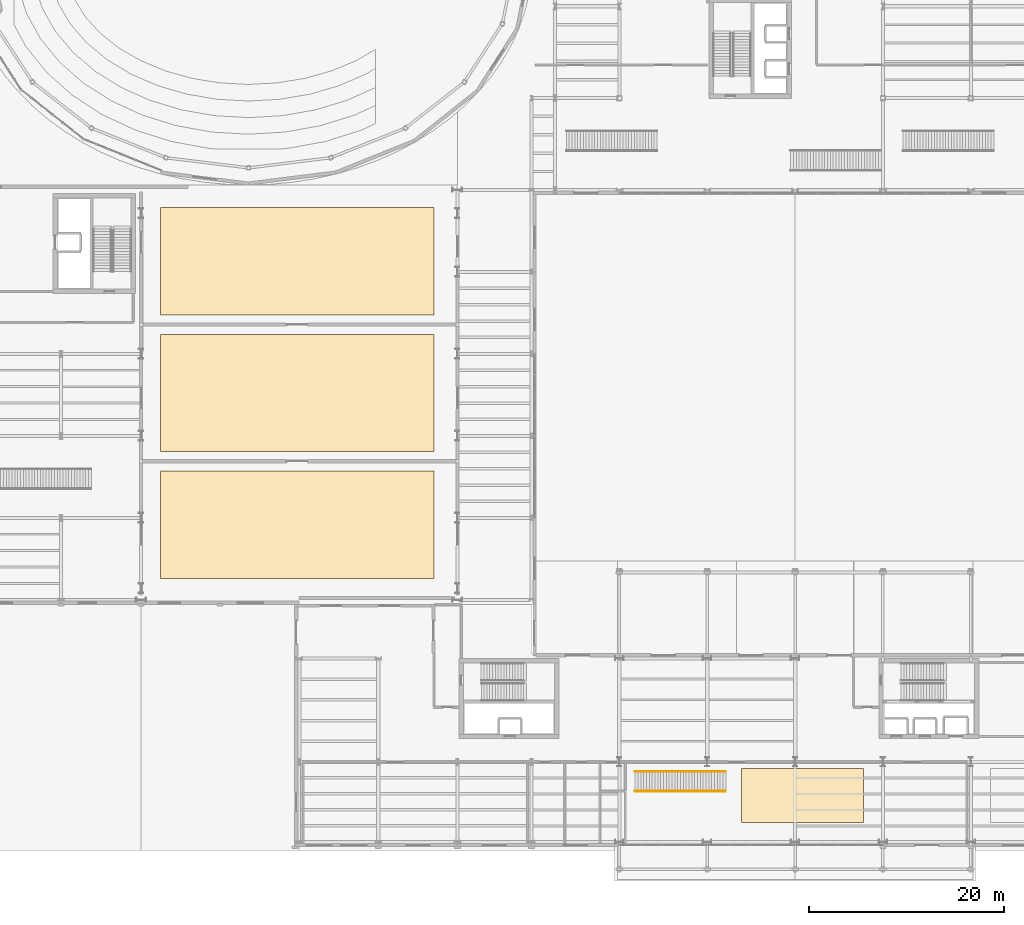
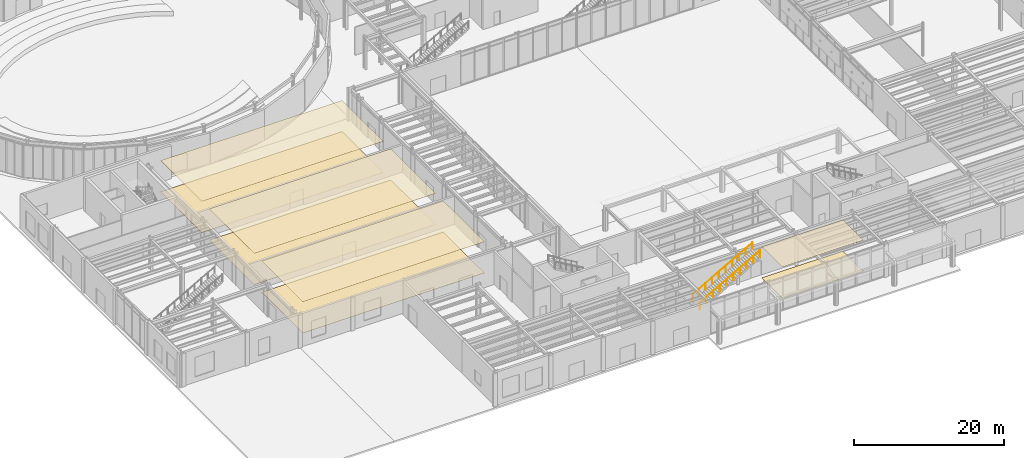
# One storey, part 86 of 94: 8 coverings, 3 railings.
"""IFC4 building model written with IfcOpenShell, lengths in metres."""

from ifc_helpers import new_model, si_unit, direction, frame, origin, origin_2d, place, context, subcontext, project, spatial, polyline, circle, outline, extrude, material, layer, layer_set, type_object, element, save


model = new_model("IFC4")

# Units and contexts
model_context = context("Model", 3, precision=1e-05, world=origin(), true_north=direction((0.0, 1.0)))
body_context = subcontext(model_context, "Body", "Model", "MODEL_VIEW")
ifc_project = project(units=[si_unit("LENGTHUNIT", "METRE"), si_unit("AREAUNIT", "SQUARE_METRE"), si_unit("VOLUMEUNIT", "CUBIC_METRE"), si_unit("PLANEANGLEUNIT", "RADIAN"), si_unit("MASSUNIT", "GRAM", prefix="KILO")], contexts=[model_context])

# Site, building, storey
site_placement = place(None, origin())
site = spatial("IfcSite", under=ifc_project, at=site_placement, CompositionType="ELEMENT")
building_placement = place(site_placement, origin())
building = spatial("IfcBuilding", under=site, at=building_placement, Name="Sollismere Congress Hotel", CompositionType="ELEMENT")
storey_placement = place(building_placement, origin())
storey = spatial("IfcBuildingStorey", under=building, at=storey_placement, Name="L00", CompositionType="ELEMENT", Elevation=0.0)

# Coverings
ifc_material_1 = material(Name="Perforated Acoustic Gypsum Ceiling")
ifc_layer_1 = layer(ifc_material_1, 0.02490234375, Name="Perforated Acoustic Gypsum Ceiling")
ifc_layer_set_1 = layer_set([ifc_layer_1], Name="Perforated Acoustic Gypsum Ceiling")
covering_type_1 = type_object("IfcCoveringType", Name="COV-CEIL", PredefinedType="CEILING", material=ifc_layer_set_1)
covering_1_placement = place(storey_placement, frame((0.0, 0.0, 5.090087890625)))
element("IfcCovering", 1, at=covering_1_placement, inside=storey, type_object=covering_type_1, Name="COV-CLG-01", PredefinedType="CEILING", context=body_context, shape_type="SweptSolid", body=[
    extrude(outline(polyline([(20.0, 27.0), (48.0, 27.0), (48.0, 38.0), (20.0, 38.0), (20.0, 27.0)])), origin(), (0.0, 0.0, 1.0), 0.02490234375),
])
covering_2_placement = place(storey_placement, frame((0.0, 0.0, 5.090087890625)))
element("IfcCovering", 2, at=covering_2_placement, inside=storey, type_object=covering_type_1, Name="COV-CLG-02", PredefinedType="CEILING", context=body_context, shape_type="SweptSolid", body=[
    extrude(outline(polyline([(20.0, 40.0), (48.0, 40.0), (48.0, 52.0), (20.0, 52.0), (20.0, 40.0)])), origin(), (0.0, 0.0, 1.0), 0.02490234375),
])
covering_3_placement = place(storey_placement, frame((0.0, 0.0, 5.090087890625)))
element("IfcCovering", 3, at=covering_3_placement, inside=storey, type_object=covering_type_1, Name="COV-CLG-03", PredefinedType="CEILING", context=body_context, shape_type="SweptSolid", body=[
    extrude(outline(polyline([(20.0, 54.0), (48.0, 54.0), (48.0, 65.0), (20.0, 65.0), (20.0, 54.0)])), origin(), (0.0, 0.0, 1.0), 0.02490234375),
])
covering_4_placement = place(storey_placement, frame((0.0, 0.0, 5.090087890625)))
element("IfcCovering", 4, at=covering_4_placement, inside=storey, type_object=covering_type_1, Name="COV-CLG-04", PredefinedType="CEILING", context=body_context, shape_type="SweptSolid", body=[
    extrude(outline(polyline([(79.5, 2.0), (92.0, 2.0), (92.0, 7.5), (79.5, 7.5), (79.5, 2.0)])), origin(), (0.0, 0.0, 1.0), 0.02490234375),
])
ifc_material_2 = material(Name="Honed Anatolian Travertine Stone Tile", Category="masonry")
ifc_layer_2 = layer(ifc_material_2, 0.030029296875, Name="Honed Anatolian Travertine Stone Tile")
ifc_layer_set_2 = layer_set([ifc_layer_2], Name="Honed Anatolian Travertine Stone Tile")
covering_type_2 = type_object("IfcCoveringType", Name="COV-FLOR", PredefinedType="FLOORING", material=ifc_layer_set_2)
covering_5_placement = place(storey_placement, origin())
element("IfcCovering", 5, at=covering_5_placement, inside=storey, type_object=covering_type_2, Name="COV-FL-01", PredefinedType="FLOORING", context=body_context, shape_type="SweptSolid", body=[
    extrude(outline(polyline([(20.0, 27.0), (48.0, 27.0), (48.0, 38.0), (20.0, 38.0), (20.0, 27.0)])), origin(), (0.0, 0.0, 1.0), 0.030029296875),
])
covering_6_placement = place(storey_placement, origin())
element("IfcCovering", 6, at=covering_6_placement, inside=storey, type_object=covering_type_2, Name="COV-FL-02", PredefinedType="FLOORING", context=body_context, shape_type="SweptSolid", body=[
    extrude(outline(polyline([(20.0, 40.0), (48.0, 40.0), (48.0, 52.0), (20.0, 52.0), (20.0, 40.0)])), origin(), (0.0, 0.0, 1.0), 0.030029296875),
])
covering_7_placement = place(storey_placement, origin())
element("IfcCovering", 7, at=covering_7_placement, inside=storey, type_object=covering_type_2, Name="COV-FL-03", PredefinedType="FLOORING", context=body_context, shape_type="SweptSolid", body=[
    extrude(outline(polyline([(20.0, 54.0), (48.0, 54.0), (48.0, 65.0), (20.0, 65.0), (20.0, 54.0)])), origin(), (0.0, 0.0, 1.0), 0.030029296875),
])
covering_8_placement = place(storey_placement, origin())
element("IfcCovering", 8, at=covering_8_placement, inside=storey, type_object=covering_type_2, Name="COV-FL-04", PredefinedType="FLOORING", context=body_context, shape_type="SweptSolid", body=[
    extrude(outline(polyline([(79.5, 2.0), (92.0, 2.0), (92.0, 7.5), (79.5, 7.5), (79.5, 2.0)])), origin(), (0.0, 0.0, 1.0), 0.030029296875),
])

# Railings
ifc_material_3 = material(Name="Steel ASTM A500 Grade C", Category="steel")
railing_type_1 = type_object("IfcRailingType", Name="RL-GRD112", PredefinedType="GUARDRAIL", material=ifc_material_3)
for number, where, name in (
    (9, (68.6201171875, 5.175048828125, 0.169921875), "RLG-RG-ST-10-A"),
    (10, (68.6201171875, 7.22509765625, 0.169921875), "RLG-RG-ST-10-B"),
):
    element("IfcRailing", number, at=place(storey_placement, frame(where)), inside=storey, type_object=railing_type_1, Name=name, PredefinedType="GUARDRAIL", context=body_context, shape_type="SweptSolid", body=[
        extrude(circle(Radius=0.02392578125, at=origin_2d()), frame((0.0, 0.0, 1.09619140625), z_axis=(0.871170033626, 0.0, 0.490981438052), x_axis=(0.0, 1.0, 0.0)), (0.0, 0.0, 1.0), 10.652099609375),
        extrude(circle(Radius=0.02099609375, at=origin_2d()), origin(), (0.0, 0.0, 1.0), 1.072021484375),
        extrude(circle(Radius=0.02099609375, at=origin_2d()), frame((1.031005859375, 0.0, 0.5810546875)), (0.0, 0.0, 1.0), 1.072021484375),
        extrude(circle(Radius=0.02099609375, at=origin_2d()), frame((2.062255859375, 0.0, 1.162109375)), (0.0, 0.0, 1.0), 1.072021484375),
        extrude(circle(Radius=0.02099609375, at=origin_2d()), frame((3.09326171875, 0.0, 1.743408203125)), (0.0, 0.0, 1.0), 1.072021484375),
        extrude(circle(Radius=0.02099609375, at=origin_2d()), frame((4.124267578125, 0.0, 2.324462890625)), (0.0, 0.0, 1.0), 1.072021484375),
        extrude(circle(Radius=0.02099609375, at=origin_2d()), frame((5.155517578125, 0.0, 2.905517578125)), (0.0, 0.0, 1.0), 1.072021484375),
        extrude(circle(Radius=0.02099609375, at=origin_2d()), frame((6.1865234375, 0.0, 3.486572265625)), (0.0, 0.0, 1.0), 1.072021484375),
        extrude(circle(Radius=0.02099609375, at=origin_2d()), frame((7.217529296875, 0.0, 4.06787109375)), (0.0, 0.0, 1.0), 1.072021484375),
        extrude(circle(Radius=0.02099609375, at=origin_2d()), frame((8.248779296875, 0.0, 4.64892578125)), (0.0, 0.0, 1.0), 1.072021484375),
        extrude(circle(Radius=0.02099609375, at=origin_2d()), frame((9.27978515625, 0.0, 5.22998046875)), (0.0, 0.0, 1.0), 1.072021484375),
    ])
ifc_material_4 = material(Name="Brushed Architectural Bronze")
railing_type_2 = type_object("IfcRailingType", Name="RL-HND90", PredefinedType="HANDRAIL", material=ifc_material_4)
railing_placement = place(storey_placement, frame((68.6201171875, 5.215087890625, 0.3134765625)))
element("IfcRailing", 11, at=railing_placement, inside=storey, type_object=railing_type_2, Name="RLG-RH-ST-10", PredefinedType="HANDRAIL", context=body_context, shape_type="SweptSolid", body=[
    extrude(circle(Radius=0.02392578125, at=origin_2d()), frame((0.0, 0.0, 0.8759765625), z_axis=(0.871111211443, 0.0, 0.491085794233), x_axis=(0.0, 1.0, 0.0)), (0.0, 0.0, 1.0), 10.65283203125),
    extrude(circle(Radius=0.02099609375, at=origin_2d()), origin(), (0.0, 0.0, 1.0), 0.851806640625),
    extrude(circle(Radius=0.02099609375, at=origin_2d()), frame((1.031005859375, 0.0, 0.581298828125)), (0.0, 0.0, 1.0), 0.851806640625),
    extrude(circle(Radius=0.02099609375, at=origin_2d()), frame((2.062255859375, 0.0, 1.16259765625)), (0.0, 0.0, 1.0), 0.851806640625),
    extrude(circle(Radius=0.02099609375, at=origin_2d()), frame((3.09326171875, 0.0, 1.743896484375)), (0.0, 0.0, 1.0), 0.851806640625),
    extrude(circle(Radius=0.02099609375, at=origin_2d()), frame((4.124267578125, 0.0, 2.3251953125)), (0.0, 0.0, 1.0), 0.851806640625),
    extrude(circle(Radius=0.02099609375, at=origin_2d()), frame((5.155517578125, 0.0, 2.90625)), (0.0, 0.0, 1.0), 0.851806640625),
    extrude(circle(Radius=0.02099609375, at=origin_2d()), frame((6.1865234375, 0.0, 3.487548828125)), (0.0, 0.0, 1.0), 0.851806640625),
    extrude(circle(Radius=0.02099609375, at=origin_2d()), frame((7.217529296875, 0.0, 4.06884765625)), (0.0, 0.0, 1.0), 0.851806640625),
    extrude(circle(Radius=0.02099609375, at=origin_2d()), frame((8.248779296875, 0.0, 4.650146484375)), (0.0, 0.0, 1.0), 0.851806640625),
    extrude(circle(Radius=0.02099609375, at=origin_2d()), frame((9.27978515625, 0.0, 5.2314453125)), (0.0, 0.0, 1.0), 0.851806640625),
])

save(model, "model.ifc")
